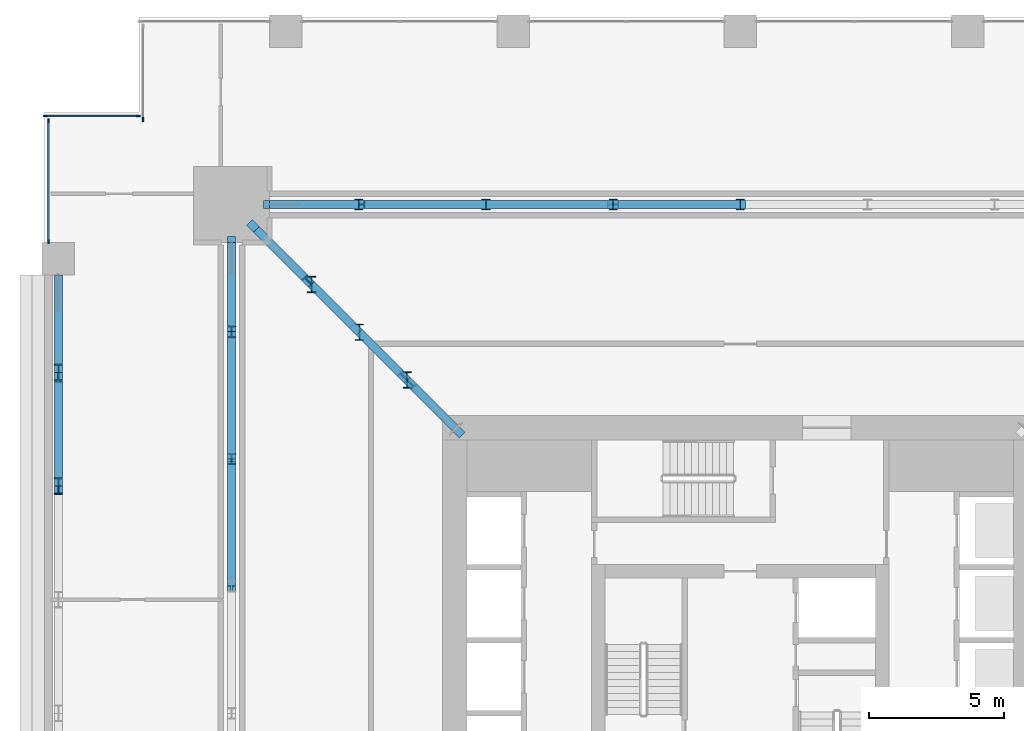
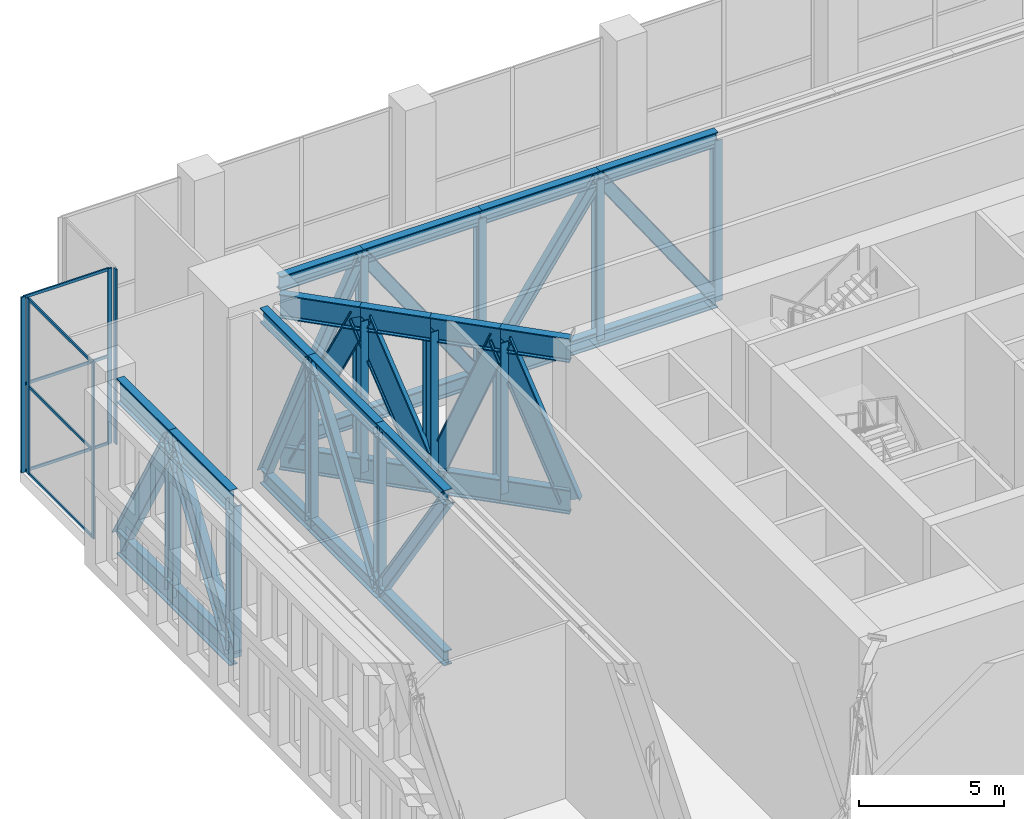
# One storey, part 7 of 21: 61 members, 3 elements without a shape of their own.
"""IFC4 building model written with IfcOpenShell, lengths in metres."""

import ifcopenshell
import ifcopenshell.guid

model = None  # the IFC model being written
_history = None  # IfcOwnerHistory: only IFC2X3 demands one
_inside = {}  # id of a spatial element -> (the spatial element, [elements in it])
_under = {}  # id of a project, library or spatial element -> (it, [spatial elements below it])
_declared = {}  # id of a project -> (the project, [libraries it declares])
_typed = {}  # id of a type object -> (the type object, [elements of that type])
_made_of = {}  # id of a material, layer set ... -> (it, [elements and type objects made of it])


def new_model(schema):
    """Start an empty IFC model of exactly this schema.

    Asked for "IFC4X3", IfcOpenShell would pick the latest addendum, in which some entities
    have other attributes; the version numbers below select the first issue.
    IFC2X3 requires an IfcOwnerHistory on every rooted entity: one is made here for all.
    """
    global model, _history
    if schema == "IFC4X3":
        model = ifcopenshell.file(schema_version=(4, 3, 0, 0))
    else:
        model = ifcopenshell.file(schema=schema)
    _inside.clear()
    _under.clear()
    _declared.clear()
    _typed.clear()
    _made_of.clear()
    _history = None
    if model.schema == "IFC2X3":
        org = make("IfcOrganization", Name="unknown")
        user = make(
            "IfcPersonAndOrganization",
            ThePerson=make("IfcPerson", FamilyName="unknown"),
            TheOrganization=org,
        )
        app = make(
            "IfcApplication",
            ApplicationDeveloper=org,
            Version="unknown",
            ApplicationFullName="unknown",
            ApplicationIdentifier="unknown",
        )
        _history = make(
            "IfcOwnerHistory",
            OwningUser=user,
            OwningApplication=app,
            ChangeAction="ADDED",
            CreationDate=0,
        )
    return model


def make(cls, **values):
    """One entity of the class cls with the attributes given. An attribute that is None is left unset."""
    return model.create_entity(
        cls, **{name: value for name, value in values.items() if value is not None}
    )


def rooted(cls, **values):
    """An entity with a GlobalId (a new one), such as an element, a storey or a relation."""
    return make(cls, GlobalId=ifcopenshell.guid.new(), OwnerHistory=_history, **values)


def si_unit(unit_type, name, prefix=None):
    """IfcSIUnit, for example si_unit("LENGTHUNIT", "METRE", prefix="MILLI")."""
    return make("IfcSIUnit", UnitType=unit_type, Prefix=prefix, Name=name)


def assignment(units):
    """IfcUnitAssignment: the units of a project."""
    return None if units is None else make("IfcUnitAssignment", Units=units)


def point(xyz):
    """IfcCartesianPoint."""
    return None if xyz is None else make("IfcCartesianPoint", Coordinates=xyz)


def direction(xyz):
    """IfcDirection."""
    return None if xyz is None else make("IfcDirection", DirectionRatios=xyz)


def frame(location, z_axis=None, x_axis=None):
    """IfcAxis2Placement3D, a coordinate frame: its origin and axes. An axis left out is left unset."""
    return make(
        "IfcAxis2Placement3D",
        Location=point(location),
        Axis=direction(z_axis),
        RefDirection=direction(x_axis),
    )


def frame_2d(location, x_axis=None):
    """IfcAxis2Placement2D, a coordinate frame in the plane: its origin and x axis."""
    return make(
        "IfcAxis2Placement2D", Location=point(location), RefDirection=direction(x_axis)
    )


def origin():
    """The frame at (0, 0, 0) with its axes left unset."""
    return frame((0.0, 0.0, 0.0))


def origin_2d():
    """The frame at (0, 0) in the plane with its x axis left unset."""
    return frame_2d((0.0, 0.0))


def place(relative_to, where):
    """IfcLocalPlacement: puts the frame where relative to a parent placement (None: the world)."""
    return make(
        "IfcLocalPlacement", PlacementRelTo=relative_to, RelativePlacement=where
    )


def context(
    kind, dimensions, precision=None, world=None, true_north=None, identifier=None
):
    """IfcGeometricRepresentationContext, for example the 3D "Model" context."""
    return make(
        "IfcGeometricRepresentationContext",
        ContextIdentifier=identifier,
        ContextType=kind,
        CoordinateSpaceDimension=dimensions,
        Precision=precision,
        WorldCoordinateSystem=world,
        TrueNorth=true_north,
    )


def subcontext(parent, identifier, kind, view, scale=None):
    """IfcGeometricRepresentationSubContext, for example "Body" below "Model"."""
    return make(
        "IfcGeometricRepresentationSubContext",
        ContextIdentifier=identifier,
        ContextType=kind,
        ParentContext=parent,
        TargetScale=scale,
        TargetView=view,
    )


def project(units=None, contexts=None):
    """IfcProject with its units and contexts."""
    return rooted(
        "IfcProject",
        Name="project",
        RepresentationContexts=contexts,
        UnitsInContext=assignment(units),
    )


def spatial(cls, under=None, at=None, **own):
    """A site, building, storey or space (cls), placed at a placement, below another one or the project."""
    s = rooted(cls, ObjectPlacement=at, **own)
    if under is not None:
        _under.setdefault(under.id(), (under, []))[1].append(s)
    return s


def profile(cls, at=None, kind="AREA", **sizes):
    """A parametric profile (cls). Its sizes go by their IFC names, for example OverallWidth=200.0."""
    return make(cls, ProfileType=kind, Position=at, **sizes)


def rectangle(**sizes):
    """IfcRectangleProfileDef."""
    return profile("IfcRectangleProfileDef", **sizes)


def i_section(**sizes):
    """IfcIShapeProfileDef."""
    return profile("IfcIShapeProfileDef", **sizes)


def extrude(swept, where, along, depth):
    """IfcExtrudedAreaSolid: the profile swept, set in the frame where, extruded along a direction by depth."""
    return make(
        "IfcExtrudedAreaSolid",
        SweptArea=swept,
        Position=where,
        ExtrudedDirection=direction(along),
        Depth=depth,
    )


def shape(context_of_items, identifier, shape_type, items):
    """IfcShapeRepresentation: the items that make up one representation, for example the "Body"."""
    return make(
        "IfcShapeRepresentation",
        ContextOfItems=context_of_items,
        RepresentationIdentifier=identifier,
        RepresentationType=shape_type,
        Items=items,
    )


def material(Name=None, Category=None):
    """IfcMaterial."""
    return make("IfcMaterial", Name=Name, Category=Category)


def material_profile(
    of_material, cross_section, Name=None, Category=None, Priority=None
):
    """IfcMaterialProfile: a cross section and its material."""
    return make(
        "IfcMaterialProfile",
        Name=Name,
        Material=of_material,
        Profile=cross_section,
        Priority=Priority,
        Category=Category,
    )


def profile_set(profiles, Name=None, composite=None):
    """IfcMaterialProfileSet."""
    return make(
        "IfcMaterialProfileSet",
        Name=Name,
        MaterialProfiles=profiles,
        CompositeProfile=composite,
    )


def made_of(thing, what):
    """Note that an element or type object is made of a material, layer set ...; save() writes the relation."""
    if what is not None:
        _made_of.setdefault(what.id(), (what, []))[1].append(thing)
    return thing


def type_object(cls, material=None, **own):
    """A type object (cls), such as IfcWallType, which elements share."""
    return made_of(rooted(cls, **own), material)


def element(
    cls,
    number,
    at=None,
    inside=None,
    cuts=None,
    type_object=None,
    material=None,
    context=None,
    identifier="Body",
    shape_type=None,
    held_by="IfcProductDefinitionShape",
    body=None,
    shapes=None,
    **own,
):
    """One element of the class cls, such as IfcWall. Its Tag is "e" and its number.

    at: its placement. inside: the storey or other place that contains it. cuts: it is an
    opening in that element (IfcRelVoidsElement). A single representation is given by context,
    identifier, shape_type and body (its items); several are given by shapes. held_by: the class
    of the entity that holds the representations. save() writes the other relations.
    """
    e = rooted(cls, Tag="e%d" % number, ObjectPlacement=at, **own)
    if body is not None:
        shapes = [shape(context, identifier, shape_type, body)]
    if shapes is not None:
        e.Representation = make(held_by, Representations=shapes)
    if inside is not None:
        _inside.setdefault(inside.id(), (inside, []))[1].append(e)
    if cuts is not None:
        rooted(
            "IfcRelVoidsElement", RelatingBuildingElement=cuts, RelatedOpeningElement=e
        )
    if type_object is not None:
        _typed.setdefault(type_object.id(), (type_object, []))[1].append(e)
    return made_of(e, material)


def aggregate(whole, parts):
    """IfcRelAggregates: a whole, such as a stair, and the parts it consists of."""
    return rooted("IfcRelAggregates", RelatingObject=whole, RelatedObjects=parts)


def save(model, path):
    """Write the relations noted so far, then the file.

    IfcRelAggregates (storeys below a building ...), IfcRelContainedInSpatialStructure (elements
    in a storey), IfcRelDefinesByType, IfcRelAssociatesMaterial and IfcRelDeclares: one each for
    every whole, place, type object, material and project.
    """
    for whole, parts in _under.values():
        aggregate(whole, parts)
    for where, things in _inside.values():
        rooted(
            "IfcRelContainedInSpatialStructure",
            RelatedElements=things,
            RelatingStructure=where,
        )
    for kind, things in _typed.values():
        rooted("IfcRelDefinesByType", RelatedObjects=things, RelatingType=kind)
    for what, things in _made_of.values():
        rooted("IfcRelAssociatesMaterial", RelatedObjects=things, RelatingMaterial=what)
    for by, libraries in _declared.values():
        rooted("IfcRelDeclares", RelatingContext=by, RelatedDefinitions=libraries)
    model.write(path)


model = new_model("IFC4")

# Units and contexts
model_context = context("Model", 3, precision=1e-05, world=origin(), true_north=direction((0.0, 1.0)))
body_context = subcontext(model_context, "Body", "Model", "MODEL_VIEW")
ifc_project = project(units=[si_unit("LENGTHUNIT", "METRE"), si_unit("AREAUNIT", "SQUARE_METRE"), si_unit("VOLUMEUNIT", "CUBIC_METRE"), si_unit("PLANEANGLEUNIT", "RADIAN"), si_unit("MASSUNIT", "GRAM", prefix="KILO")], contexts=[model_context])

# Site, building, storey
site_placement = place(None, origin())
site = spatial("IfcSite", under=ifc_project, at=site_placement, CompositionType="ELEMENT")
building_placement = place(site_placement, origin())
building = spatial("IfcBuilding", under=site, at=building_placement, Name="Khepri Terraces", CompositionType="ELEMENT")
storey_placement = place(building_placement, frame((0.0, 0.0, 126.0)))
storey = spatial("IfcBuildingStorey", under=building, at=storey_placement, Name="L30", CompositionType="ELEMENT", Elevation=126.0)

# Members
ifc_material_1 = material(Name="Steel S355", Category="steel")
ifc_material_profile_1 = material_profile(ifc_material_1, i_section(OverallWidth=0.304931640625, OverallDepth=0.6201171875, WebThickness=0.02099609375, FlangeThickness=0.0400390625, FilletRadius=0.027099609375, at=origin_2d()), Name="Steel S355", Category="steel")
ifc_profile_set_1 = profile_set([ifc_material_profile_1], Name="Steel S355")
member_type_1 = type_object("IfcMemberType", Name="Belt truss chord HEM 600", PredefinedType="CHORD", material=ifc_profile_set_1)
for number, where, z_axis, x_axis, name in (
    (1, (0.0, 18.800048828125, 0.31005859375), (-1.0, 0.0, 0.0), (0.0, -1.0, 0.0), "Belt truss chord BT-30-N bottom 5"),
    (2, (0.0, 18.800048828125, 7.070068359375), (-1.0, 0.0, 0.0), (0.0, -1.0, 0.0), "Belt truss chord BT-30-N top 5"),
    (3, (-4.699951171875, 18.800048828125, 0.31005859375), (-1.0, 0.0, 0.0), (0.0, -1.0, 0.0), "Belt truss chord BT-30-N bottom 6"),
    (4, (-4.699951171875, 18.800048828125, 7.070068359375), (-1.0, 0.0, 0.0), (0.0, -1.0, 0.0), "Belt truss chord BT-30-N top 6"),
):
    element("IfcMember", number, at=place(storey_placement, frame(where, z_axis=z_axis, x_axis=x_axis)), inside=storey, type_object=member_type_1, Name=name, PredefinedType="CHORD", context=body_context, shape_type="SweptSolid", body=[
        extrude(i_section(OverallWidth=0.304931640625, OverallDepth=0.6201171875, WebThickness=0.02099609375, FlangeThickness=0.0400390625, FilletRadius=0.027099609375, at=origin_2d()), origin(), (0.0, 0.0, 1.0), 4.699951171875),
    ])
for number, where, z_axis, x_axis, name in (
    (5, (-9.39990234375, 18.800048828125, 0.31005859375), (-1.0, 0.0, 0.0), (0.0, -1.0, 0.0), "Belt truss chord BT-30-N bottom 7"),
    (6, (-9.39990234375, 18.800048828125, 7.070068359375), (-1.0, 0.0, 0.0), (0.0, -1.0, 0.0), "Belt truss chord BT-30-N top 7"),
):
    element("IfcMember", number, at=place(storey_placement, frame(where, z_axis=z_axis, x_axis=x_axis)), inside=storey, type_object=member_type_1, Name=name, PredefinedType="CHORD", context=body_context, shape_type="SweptSolid", body=[
        extrude(i_section(OverallWidth=0.304931640625, OverallDepth=0.6201171875, WebThickness=0.02099609375, FlangeThickness=0.0400390625, FilletRadius=0.027099609375, at=origin_2d()), origin(), (0.0, 0.0, 1.0), 4.7001953125),
    ])
for number, where, z_axis, x_axis, name in (
    (7, (-14.10009765625, 18.800048828125, 0.31005859375), (-1.0, 0.0, 0.0), (0.0, -1.0, 0.0), "Belt truss chord BT-30-N bottom 8"),
    (8, (-14.10009765625, 18.800048828125, 7.070068359375), (-1.0, 0.0, 0.0), (0.0, -1.0, 0.0), "Belt truss chord BT-30-N top 8"),
    (9, (-18.800048828125, 17.39990234375, 0.31005859375), (0.0, -1.0, 0.0), (1.0, 0.0, 0.0), "Belt truss chord BT-30-W bottom 1"),
    (10, (-18.800048828125, 17.39990234375, 7.070068359375), (0.0, -1.0, 0.0), (1.0, 0.0, 0.0), "Belt truss chord BT-30-W top 1"),
):
    element("IfcMember", number, at=place(storey_placement, frame(where, z_axis=z_axis, x_axis=x_axis)), inside=storey, type_object=member_type_1, Name=name, PredefinedType="CHORD", context=body_context, shape_type="SweptSolid", body=[
        extrude(i_section(OverallWidth=0.304931640625, OverallDepth=0.6201171875, WebThickness=0.02099609375, FlangeThickness=0.0400390625, FilletRadius=0.027099609375, at=origin_2d()), origin(), (0.0, 0.0, 1.0), 3.2998046875),
    ])
for number, where, z_axis, x_axis, name in (
    (11, (-18.800048828125, 14.10009765625, 0.31005859375), (0.0, -1.0, 0.0), (1.0, 0.0, 0.0), "Belt truss chord BT-30-W bottom 2"),
    (12, (-18.800048828125, 14.10009765625, 7.070068359375), (0.0, -1.0, 0.0), (1.0, 0.0, 0.0), "Belt truss chord BT-30-W top 2"),
):
    element("IfcMember", number, at=place(storey_placement, frame(where, z_axis=z_axis, x_axis=x_axis)), inside=storey, type_object=member_type_1, Name=name, PredefinedType="CHORD", context=body_context, shape_type="SweptSolid", body=[
        extrude(i_section(OverallWidth=0.304931640625, OverallDepth=0.6201171875, WebThickness=0.02099609375, FlangeThickness=0.0400390625, FilletRadius=0.027099609375, at=origin_2d()), origin(), (0.0, 0.0, 1.0), 4.7001953125),
    ])
for number, where, z_axis, x_axis, name in (
    (13, (-18.800048828125, 9.39990234375, 0.31005859375), (0.0, -1.0, 0.0), (1.0, 0.0, 0.0), "Belt truss chord BT-30-W bottom 3"),
    (14, (-18.800048828125, 9.39990234375, 7.070068359375), (0.0, -1.0, 0.0), (1.0, 0.0, 0.0), "Belt truss chord BT-30-W top 3"),
):
    element("IfcMember", number, at=place(storey_placement, frame(where, z_axis=z_axis, x_axis=x_axis)), inside=storey, type_object=member_type_1, Name=name, PredefinedType="CHORD", context=body_context, shape_type="SweptSolid", body=[
        extrude(i_section(OverallWidth=0.304931640625, OverallDepth=0.6201171875, WebThickness=0.02099609375, FlangeThickness=0.0400390625, FilletRadius=0.027099609375, at=origin_2d()), origin(), (0.0, 0.0, 1.0), 4.699951171875),
    ])
ifc_material_profile_2 = material_profile(ifc_material_1, i_section(OverallWidth=0.300048828125, OverallDepth=0.5, WebThickness=0.014404296875, FlangeThickness=0.028076171875, FilletRadius=0.027099609375, at=origin_2d()), Name="Steel S355", Category="steel")
ifc_profile_set_2 = profile_set([ifc_material_profile_2], Name="Steel S355")
member_type_2 = type_object("IfcMemberType", Name="Belt truss diagonal HEB 500", PredefinedType="BRACE", material=ifc_profile_set_2)
for number, where, z_axis, x_axis, name in (
    (15, (0.0, 18.800048828125, 0.31005859375), (-0.570846397071, 0.0, 0.82105687437), (0.0, -1.0, 0.0), "Belt truss diagonal BT-30-N 5"),
    (16, (-4.699951171875, 18.800048828125, 7.070068359375), (-0.570846397071, 0.0, -0.82105687437), (0.0, -1.0, 0.0), "Belt truss diagonal BT-30-N 6"),
    (17, (-9.39990234375, 18.800048828125, 0.31005859375), (-0.570866386548, 0.0, 0.821042976165), (0.0, -1.0, 0.0), "Belt truss diagonal BT-30-N 7"),
):
    element("IfcMember", number, at=place(storey_placement, frame(where, z_axis=z_axis, x_axis=x_axis)), inside=storey, type_object=member_type_2, Name=name, PredefinedType="BRACE", context=body_context, shape_type="SweptSolid", body=[
        extrude(i_section(OverallWidth=0.300048828125, OverallDepth=0.5, WebThickness=0.014404296875, FlangeThickness=0.028076171875, FilletRadius=0.027099609375, at=origin_2d()), origin(), (0.0, 0.0, 1.0), 8.2333984375),
    ])
for number, where, z_axis, x_axis, name in (
    (18, (-14.10009765625, 18.800048828125, 7.070068359375), (-0.438664043467, 0.0, -0.898651131958), (0.0, -1.0, 0.0), "Belt truss diagonal BT-30-N 8"),
    (19, (-18.800048828125, 17.39990234375, 0.31005859375), (0.0, -0.438664043467, 0.898651131958), (1.0, 0.0, 0.0), "Belt truss diagonal BT-30-W 1"),
):
    element("IfcMember", number, at=place(storey_placement, frame(where, z_axis=z_axis, x_axis=x_axis)), inside=storey, type_object=member_type_2, Name=name, PredefinedType="BRACE", context=body_context, shape_type="SweptSolid", body=[
        extrude(i_section(OverallWidth=0.300048828125, OverallDepth=0.5, WebThickness=0.014404296875, FlangeThickness=0.028076171875, FilletRadius=0.027099609375, at=origin_2d()), origin(), (0.0, 0.0, 1.0), 7.5224609375),
    ])
for number, where, z_axis, x_axis, name in (
    (20, (-18.800048828125, 14.10009765625, 7.070068359375), (0.0, -0.570866386548, -0.821042976165), (1.0, 0.0, 0.0), "Belt truss diagonal BT-30-W 2"),
    (21, (-18.800048828125, 9.39990234375, 0.31005859375), (0.0, -0.570846397071, 0.82105687437), (1.0, 0.0, 0.0), "Belt truss diagonal BT-30-W 3"),
):
    element("IfcMember", number, at=place(storey_placement, frame(where, z_axis=z_axis, x_axis=x_axis)), inside=storey, type_object=member_type_2, Name=name, PredefinedType="BRACE", context=body_context, shape_type="SweptSolid", body=[
        extrude(i_section(OverallWidth=0.300048828125, OverallDepth=0.5, WebThickness=0.014404296875, FlangeThickness=0.028076171875, FilletRadius=0.027099609375, at=origin_2d()), origin(), (0.0, 0.0, 1.0), 8.2333984375),
    ])
ifc_material_profile_3 = material_profile(ifc_material_1, i_section(OverallWidth=0.300048828125, OverallDepth=0.39990234375, WebThickness=0.013427734375, FlangeThickness=0.02392578125, FilletRadius=0.027099609375, at=origin_2d()), Name="Steel S355", Category="steel")
ifc_profile_set_3 = profile_set([ifc_material_profile_3], Name="Steel S355")
member_type_3 = type_object("IfcMemberType", Name="Belt truss post HEB 400", PredefinedType="POST", material=ifc_profile_set_3)
for number, where, z_axis, x_axis, name in (
    (22, (0.0, 18.800048828125, 0.31005859375), (0.0, 0.0, 1.0), (1.0, 0.0, 0.0), "Belt truss post BT-30-N 4"),
    (23, (-4.699951171875, 18.800048828125, 0.31005859375), (0.0, 0.0, 1.0), (1.0, 0.0, 0.0), "Belt truss post BT-30-N 5"),
    (24, (-9.39990234375, 18.800048828125, 0.31005859375), (0.0, 0.0, 1.0), (1.0, 0.0, 0.0), "Belt truss post BT-30-N 6"),
    (25, (-14.10009765625, 18.800048828125, 0.31005859375), (0.0, 0.0, 1.0), (1.0, 0.0, 0.0), "Belt truss post BT-30-N 7"),
    (26, (-18.800048828125, 14.10009765625, 0.31005859375), (0.0, 0.0, 1.0), (1.0, 0.0, 0.0), "Belt truss post BT-30-W 1"),
    (27, (-18.800048828125, 9.39990234375, 0.31005859375), (0.0, 0.0, 1.0), (1.0, 0.0, 0.0), "Belt truss post BT-30-W 2"),
):
    element("IfcMember", number, at=place(storey_placement, frame(where, z_axis=z_axis, x_axis=x_axis)), inside=storey, type_object=member_type_3, Name=name, PredefinedType="POST", context=body_context, shape_type="SweptSolid", body=[
        extrude(i_section(OverallWidth=0.300048828125, OverallDepth=0.39990234375, WebThickness=0.013427734375, FlangeThickness=0.02392578125, FilletRadius=0.027099609375, at=origin_2d()), origin(), (0.0, 0.0, 1.0), 6.760009765625),
    ])

# Curtain wall, member
ifc_material_2 = material(Name="Anodised aluminium bronze curtain wall", Category="aluminium")
curtain_wall_type = type_object("IfcCurtainWallType", Name="CW-SYS3-SKY", PredefinedType="NOTDEFINED", material=ifc_material_2)
curtain_wall_1_placement = place(storey_placement, origin())
curtain_wall_1 = element("IfcCurtainWall", 28, at=curtain_wall_1_placement, inside=storey, type_object=curtain_wall_type, Name="Curtain wall CW3 L30 W", PredefinedType="NOTDEFINED")
ifc_material_3 = material(Name="Anodised aluminium bronze", Category="aluminium")
ifc_material_profile_4 = material_profile(ifc_material_3, rectangle(XDim=0.06005859375, YDim=0.159912109375, at=origin_2d()), Name="Anodised aluminium bronze", Category="aluminium")
ifc_profile_set_4 = profile_set([ifc_material_profile_4], Name="Anodised aluminium bronze")
member_type_4 = type_object("IfcMemberType", Name="CW-MULLION-60x160", PredefinedType="MULLION", material=ifc_profile_set_4)
member_1_placement = place(storey_placement, frame((-22.070068359375, 21.949951171875, 0.0), z_axis=(0.0, 0.0, 1.0), x_axis=(1.0, 0.0, 0.0)))
member_1 = element("IfcMember", 29, at=member_1_placement, type_object=member_type_4, Name="CW3 mullion 2", PredefinedType="MULLION", context=body_context, shape_type="SweptSolid", body=[
    extrude(rectangle(XDim=0.06005859375, YDim=0.159912109375, at=origin_2d()), origin(), (0.0, 0.0, 1.0), 7.3798828125),
])
aggregate(curtain_wall_1, [member_1])

# Curtain wall, members
curtain_wall_2_placement = place(storey_placement, origin())
curtain_wall_2 = element("IfcCurtainWall", 30, at=curtain_wall_2_placement, inside=storey, type_object=curtain_wall_type, Name="Curtain wall CW3 L30 N", PredefinedType="NOTDEFINED")
member_2_placement = place(storey_placement, frame((-22.25, 22.070068359375, 0.0), z_axis=(0.0, 0.0, 1.0), x_axis=(0.0, -1.0, 0.0)))
member_2 = element("IfcMember", 31, at=member_2_placement, type_object=member_type_4, Name="CW3 mullion 1", PredefinedType="MULLION", context=body_context, shape_type="SweptSolid", body=[
    extrude(rectangle(XDim=0.06005859375, YDim=0.159912109375, at=origin_2d()), origin(), (0.0, 0.0, 1.0), 7.3798828125),
])
member_3_placement = place(storey_placement, frame((-25.68994140625, 22.070068359375, 0.0), z_axis=(0.0, 0.0, 1.0), x_axis=(0.0, -1.0, 0.0)))
member_3 = element("IfcMember", 32, at=member_3_placement, type_object=member_type_4, Name="CW3 mullion 2", PredefinedType="MULLION", context=body_context, shape_type="SweptSolid", body=[
    extrude(rectangle(XDim=0.06005859375, YDim=0.159912109375, at=origin_2d()), origin(), (0.0, 0.0, 1.0), 7.3798828125),
])

curtain_wall_3_placement = place(storey_placement, origin())
curtain_wall_3 = element("IfcCurtainWall", 33, at=curtain_wall_3_placement, inside=storey, type_object=curtain_wall_type, Name="Curtain wall CW3 L30 W", PredefinedType="NOTDEFINED")
member_4_placement = place(storey_placement, frame((-25.570068359375, 21.889892578125, 0.0), z_axis=(0.0, 0.0, 1.0), x_axis=(1.0, 0.0, 0.0)))
member_4 = element("IfcMember", 34, at=member_4_placement, type_object=member_type_4, Name="CW3 mullion 1", PredefinedType="MULLION", context=body_context, shape_type="SweptSolid", body=[
    extrude(rectangle(XDim=0.06005859375, YDim=0.159912109375, at=origin_2d()), origin(), (0.0, 0.0, 1.0), 7.3798828125),
])
member_5_placement = place(storey_placement, frame((-25.570068359375, 17.429931640625, 0.0), z_axis=(0.0, 0.0, 1.0), x_axis=(1.0, 0.0, 0.0)))
member_5 = element("IfcMember", 35, at=member_5_placement, type_object=member_type_4, Name="CW3 mullion 2", PredefinedType="MULLION", context=body_context, shape_type="SweptSolid", body=[
    extrude(rectangle(XDim=0.06005859375, YDim=0.159912109375, at=origin_2d()), origin(), (0.0, 0.0, 1.0), 7.3798828125),
])

# Member
ifc_material_profile_5 = material_profile(ifc_material_3, rectangle(XDim=0.06005859375, YDim=0.1201171875, at=origin_2d()), Name="Anodised aluminium bronze", Category="aluminium")
ifc_profile_set_5 = profile_set([ifc_material_profile_5], Name="Anodised aluminium bronze")
member_type_5 = type_object("IfcMemberType", Name="CW-TRANSOM-60x120", PredefinedType="USERDEFINED", material=ifc_profile_set_5)
member_6_placement = place(storey_placement, frame((-22.280029296875, 22.070068359375, 0.030029296875), z_axis=(-1.0, 0.0, 0.0), x_axis=(0.0, -1.0, 0.0)))
member_6 = element("IfcMember", 36, at=member_6_placement, type_object=member_type_5, Name="CW3 transom 1.1", ObjectType="TRANSOM", PredefinedType="USERDEFINED", context=body_context, shape_type="SweptSolid", body=[
    extrude(rectangle(XDim=0.06005859375, YDim=0.1201171875, at=origin_2d()), origin(), (0.0, 0.0, 1.0), 3.3798828125),
])

member_7_placement = place(storey_placement, frame((-22.280029296875, 22.070068359375, 3.68994140625), z_axis=(-1.0, 0.0, 0.0), x_axis=(0.0, -1.0, 0.0)))
member_7 = element("IfcMember", 37, at=member_7_placement, type_object=member_type_5, Name="CW3 transom 1.2", ObjectType="TRANSOM", PredefinedType="USERDEFINED", context=body_context, shape_type="SweptSolid", body=[
    extrude(rectangle(XDim=0.06005859375, YDim=0.1201171875, at=origin_2d()), origin(), (0.0, 0.0, 1.0), 3.3798828125),
])

member_8_placement = place(storey_placement, frame((-22.280029296875, 22.070068359375, 7.35009765625), z_axis=(-1.0, 0.0, 0.0), x_axis=(0.0, -1.0, 0.0)))
member_8 = element("IfcMember", 38, at=member_8_placement, type_object=member_type_5, Name="CW3 transom 1.3", ObjectType="TRANSOM", PredefinedType="USERDEFINED", context=body_context, shape_type="SweptSolid", body=[
    extrude(rectangle(XDim=0.06005859375, YDim=0.1201171875, at=origin_2d()), origin(), (0.0, 0.0, 1.0), 3.3798828125),
])

aggregate(curtain_wall_2, [member_2, member_3, member_6, member_7, member_8])

member_9_placement = place(storey_placement, frame((-25.570068359375, 21.860107421875, 0.030029296875), z_axis=(0.0, -1.0, 0.0), x_axis=(1.0, 0.0, 0.0)))
member_9 = element("IfcMember", 39, at=member_9_placement, type_object=member_type_5, Name="CW3 transom 1.1", ObjectType="TRANSOM", PredefinedType="USERDEFINED", context=body_context, shape_type="SweptSolid", body=[
    extrude(rectangle(XDim=0.06005859375, YDim=0.1201171875, at=origin_2d()), origin(), (0.0, 0.0, 1.0), 4.400146484375),
])

member_10_placement = place(storey_placement, frame((-25.570068359375, 21.860107421875, 3.68994140625), z_axis=(0.0, -1.0, 0.0), x_axis=(1.0, 0.0, 0.0)))
member_10 = element("IfcMember", 40, at=member_10_placement, type_object=member_type_5, Name="CW3 transom 1.2", ObjectType="TRANSOM", PredefinedType="USERDEFINED", context=body_context, shape_type="SweptSolid", body=[
    extrude(rectangle(XDim=0.06005859375, YDim=0.1201171875, at=origin_2d()), origin(), (0.0, 0.0, 1.0), 4.400146484375),
])

member_11_placement = place(storey_placement, frame((-25.570068359375, 21.860107421875, 7.35009765625), z_axis=(0.0, -1.0, 0.0), x_axis=(1.0, 0.0, 0.0)))
member_11 = element("IfcMember", 41, at=member_11_placement, type_object=member_type_5, Name="CW3 transom 1.3", ObjectType="TRANSOM", PredefinedType="USERDEFINED", context=body_context, shape_type="SweptSolid", body=[
    extrude(rectangle(XDim=0.06005859375, YDim=0.1201171875, at=origin_2d()), origin(), (0.0, 0.0, 1.0), 4.400146484375),
])

aggregate(curtain_wall_3, [member_4, member_5, member_9, member_10, member_11])

# Members
ifc_material_profile_6 = material_profile(ifc_material_1, i_section(OverallWidth=0.302001953125, OverallDepth=1.008056640625, WebThickness=0.02099609375, FlangeThickness=0.0400390625, FilletRadius=0.030029296875, at=origin_2d()), Name="Steel S355", Category="steel")
ifc_profile_set_6 = profile_set([ifc_material_profile_6], Name="Steel S355")
member_type_6 = type_object("IfcMemberType", Name="Outrigger chord HEM 1000", PredefinedType="CHORD", material=ifc_profile_set_6)
for number, where, z_axis, x_axis, name in (
    (42, (-10.550048828125, 10.550048828125, 0.50390625), (-0.707106781187, 0.707106781187, 0.0), (-0.707106781187, -0.707106781187, 0.0), "Outrigger chord OT-30-WN bottom 1"),
    (43, (-10.550048828125, 10.550048828125, 6.8759765625), (-0.707106781187, 0.707106781187, 0.0), (-0.707106781187, -0.707106781187, 0.0), "Outrigger chord OT-30-WN top 1"),
):
    element("IfcMember", number, at=place(storey_placement, frame(where, z_axis=z_axis, x_axis=x_axis)), inside=storey, type_object=member_type_6, Name=name, PredefinedType="CHORD", context=body_context, shape_type="SweptSolid", body=[
        extrude(i_section(OverallWidth=0.302001953125, OverallDepth=1.008056640625, WebThickness=0.02099609375, FlangeThickness=0.0400390625, FilletRadius=0.030029296875, at=origin_2d()), origin(), (0.0, 0.0, 1.0), 2.49658203125),
    ])
for number, where, z_axis, x_axis, name in (
    (44, (-12.3154296875, 12.3154296875, 0.50390625), (-0.707106781187, 0.707106781187, 0.0), (-0.707106781187, -0.707106781187, 0.0), "Outrigger chord OT-30-WN bottom 2"),
    (45, (-12.3154296875, 12.3154296875, 6.8759765625), (-0.707106781187, 0.707106781187, 0.0), (-0.707106781187, -0.707106781187, 0.0), "Outrigger chord OT-30-WN top 2"),
    (46, (-14.0810546875, 14.0810546875, 0.50390625), (-0.707106781187, 0.707106781187, 0.0), (-0.707106781187, -0.707106781187, 0.0), "Outrigger chord OT-30-WN bottom 3"),
    (47, (-14.0810546875, 14.0810546875, 6.8759765625), (-0.707106781187, 0.707106781187, 0.0), (-0.707106781187, -0.707106781187, 0.0), "Outrigger chord OT-30-WN top 3"),
):
    element("IfcMember", number, at=place(storey_placement, frame(where, z_axis=z_axis, x_axis=x_axis)), inside=storey, type_object=member_type_6, Name=name, PredefinedType="CHORD", context=body_context, shape_type="SweptSolid", body=[
        extrude(i_section(OverallWidth=0.302001953125, OverallDepth=1.008056640625, WebThickness=0.02099609375, FlangeThickness=0.0400390625, FilletRadius=0.030029296875, at=origin_2d()), origin(), (0.0, 0.0, 1.0), 2.4970703125),
    ])
for number, where, z_axis, x_axis, name in (
    (48, (-15.8466796875, 15.8466796875, 0.50390625), (-0.707106781187, 0.707106781187, 0.0), (-0.707106781187, -0.707106781187, 0.0), "Outrigger chord OT-30-WN bottom 4"),
    (49, (-15.8466796875, 15.8466796875, 6.8759765625), (-0.707106781187, 0.707106781187, 0.0), (-0.707106781187, -0.707106781187, 0.0), "Outrigger chord OT-30-WN top 4"),
):
    element("IfcMember", number, at=place(storey_placement, frame(where, z_axis=z_axis, x_axis=x_axis)), inside=storey, type_object=member_type_6, Name=name, PredefinedType="CHORD", context=body_context, shape_type="SweptSolid", body=[
        extrude(i_section(OverallWidth=0.302001953125, OverallDepth=1.008056640625, WebThickness=0.02099609375, FlangeThickness=0.0400390625, FilletRadius=0.030029296875, at=origin_2d()), origin(), (0.0, 0.0, 1.0), 2.876708984375),
    ])
ifc_material_profile_7 = material_profile(ifc_material_1, i_section(OverallWidth=0.302978515625, OverallDepth=0.81396484375, WebThickness=0.02099609375, FlangeThickness=0.0400390625, FilletRadius=0.030029296875, at=origin_2d()), Name="Steel S355", Category="steel")
ifc_profile_set_7 = profile_set([ifc_material_profile_7], Name="Steel S355")
member_type_7 = type_object("IfcMemberType", Name="Outrigger diagonal HEM 800", PredefinedType="BRACE", material=ifc_profile_set_7)
for number, where, z_axis, x_axis, name in (
    (50, (-10.550048828125, 10.550048828125, 0.50390625), (-0.257956556739, 0.257956556739, 0.931083685643), (-0.707106781187, -0.707106781187, 0.0), "Outrigger diagonal OT-30-WN 1"),
    (51, (-12.3154296875, 12.3154296875, 6.8759765625), (-0.25798748202, 0.25798748202, -0.931066548772), (-0.707106781187, -0.707106781187, 0.0), "Outrigger diagonal OT-30-WN 2"),
    (52, (-14.0810546875, 14.0810546875, 0.50390625), (-0.25798748202, 0.25798748202, 0.931066548772), (-0.707106781187, -0.707106781187, 0.0), "Outrigger diagonal OT-30-WN 3"),
):
    element("IfcMember", number, at=place(storey_placement, frame(where, z_axis=z_axis, x_axis=x_axis)), inside=storey, type_object=member_type_7, Name=name, PredefinedType="BRACE", context=body_context, shape_type="SweptSolid", body=[
        extrude(i_section(OverallWidth=0.302978515625, OverallDepth=0.81396484375, WebThickness=0.02099609375, FlangeThickness=0.0400390625, FilletRadius=0.030029296875, at=origin_2d()), origin(), (0.0, 0.0, 1.0), 6.84375),
    ])
member_12_placement = place(storey_placement, frame((-15.8466796875, 15.8466796875, 6.8759765625), z_axis=(-0.290956401625, 0.290956401625, -0.911421277295), x_axis=(-0.707106781187, -0.707106781187, 0.0)))
element("IfcMember", 53, at=member_12_placement, inside=storey, type_object=member_type_7, Name="Outrigger diagonal OT-30-WN 4", PredefinedType="BRACE", context=body_context, shape_type="SweptSolid", body=[
    extrude(i_section(OverallWidth=0.302978515625, OverallDepth=0.81396484375, WebThickness=0.02099609375, FlangeThickness=0.0400390625, FilletRadius=0.030029296875, at=origin_2d()), origin(), (0.0, 0.0, 1.0), 6.991455078125),
])
ifc_material_profile_8 = material_profile(ifc_material_1, i_section(OverallWidth=0.300048828125, OverallDepth=0.60009765625, WebThickness=0.015380859375, FlangeThickness=0.030029296875, FilletRadius=0.027099609375, at=origin_2d()), Name="Steel S355", Category="steel")
ifc_profile_set_8 = profile_set([ifc_material_profile_8], Name="Steel S355")
member_type_8 = type_object("IfcMemberType", Name="Outrigger post HEB 600", PredefinedType="POST", material=ifc_profile_set_8)
for number, where, z_axis, x_axis, name in (
    (54, (-12.3154296875, 12.3154296875, 0.50390625), (0.0, 0.0, 1.0), (1.0, 0.0, 0.0), "Outrigger post OT-30-WN 1"),
    (55, (-14.0810546875, 14.0810546875, 0.50390625), (0.0, 0.0, 1.0), (1.0, 0.0, 0.0), "Outrigger post OT-30-WN 2"),
    (56, (-15.8466796875, 15.8466796875, 0.50390625), (0.0, 0.0, 1.0), (1.0, 0.0, 0.0), "Outrigger post OT-30-WN 3"),
):
    element("IfcMember", number, at=place(storey_placement, frame(where, z_axis=z_axis, x_axis=x_axis)), inside=storey, type_object=member_type_8, Name=name, PredefinedType="POST", context=body_context, shape_type="SweptSolid", body=[
        extrude(i_section(OverallWidth=0.300048828125, OverallDepth=0.60009765625, WebThickness=0.015380859375, FlangeThickness=0.030029296875, FilletRadius=0.027099609375, at=origin_2d()), origin(), (0.0, 0.0, 1.0), 6.3720703125),
    ])
ifc_material_profile_9 = material_profile(ifc_material_1, i_section(OverallWidth=0.302001953125, OverallDepth=1.008056640625, WebThickness=0.02099609375, FlangeThickness=0.0400390625, FilletRadius=0.030029296875, at=origin_2d()), Name="Steel S355", Category="steel")
ifc_profile_set_9 = profile_set([ifc_material_profile_9], Name="Steel S355")
member_type_9 = type_object("IfcMemberType", Name="Transfer truss chord HEM 1000", PredefinedType="CHORD", material=ifc_profile_set_9)
for number, where, z_axis, x_axis, name in (
    (57, (-25.199951171875, 16.199951171875, 0.50390625), (0.0, -1.0, 0.0), (1.0, 0.0, 0.0), "Transfer truss chord TT-30-W bottom 1"),
    (58, (-25.199951171875, 16.199951171875, 6.8759765625), (0.0, -1.0, 0.0), (1.0, 0.0, 0.0), "Transfer truss chord TT-30-W top 1"),
):
    element("IfcMember", number, at=place(storey_placement, frame(where, z_axis=z_axis, x_axis=x_axis)), inside=storey, type_object=member_type_9, Name=name, PredefinedType="CHORD", context=body_context, shape_type="SweptSolid", body=[
        extrude(i_section(OverallWidth=0.302001953125, OverallDepth=1.008056640625, WebThickness=0.02099609375, FlangeThickness=0.0400390625, FilletRadius=0.030029296875, at=origin_2d()), origin(), (0.0, 0.0, 1.0), 3.599853515625),
    ])
for number, where, z_axis, x_axis, name in (
    (59, (-25.199951171875, 12.60009765625, 0.50390625), (0.0, -1.0, 0.0), (1.0, 0.0, 0.0), "Transfer truss chord TT-30-W bottom 2"),
    (60, (-25.199951171875, 12.60009765625, 6.8759765625), (0.0, -1.0, 0.0), (1.0, 0.0, 0.0), "Transfer truss chord TT-30-W top 2"),
):
    element("IfcMember", number, at=place(storey_placement, frame(where, z_axis=z_axis, x_axis=x_axis)), inside=storey, type_object=member_type_9, Name=name, PredefinedType="CHORD", context=body_context, shape_type="SweptSolid", body=[
        extrude(i_section(OverallWidth=0.302001953125, OverallDepth=1.008056640625, WebThickness=0.02099609375, FlangeThickness=0.0400390625, FilletRadius=0.030029296875, at=origin_2d()), origin(), (0.0, 0.0, 1.0), 4.2001953125),
    ])
ifc_material_profile_10 = material_profile(ifc_material_1, i_section(OverallWidth=0.300048828125, OverallDepth=0.800048828125, WebThickness=0.017578125, FlangeThickness=0.032958984375, FilletRadius=0.030029296875, at=origin_2d()), Name="Steel S355", Category="steel")
ifc_profile_set_10 = profile_set([ifc_material_profile_10], Name="Steel S355")
member_type_10 = type_object("IfcMemberType", Name="Transfer truss diagonal HEB 800", PredefinedType="BRACE", material=ifc_profile_set_10)
member_13_placement = place(storey_placement, frame((-25.199951171875, 16.199951171875, 0.50390625), z_axis=(0.0, -0.4918758753, 0.870665333695), x_axis=(1.0, 0.0, 0.0)))
element("IfcMember", 61, at=member_13_placement, inside=storey, type_object=member_type_10, Name="Transfer truss diagonal TT-30-W 1", PredefinedType="BRACE", context=body_context, shape_type="SweptSolid", body=[
    extrude(i_section(OverallWidth=0.300048828125, OverallDepth=0.800048828125, WebThickness=0.017578125, FlangeThickness=0.032958984375, FilletRadius=0.030029296875, at=origin_2d()), origin(), (0.0, 0.0, 1.0), 7.318603515625),
])
member_14_placement = place(storey_placement, frame((-25.199951171875, 12.60009765625, 6.8759765625), z_axis=(0.0, -0.55035188289, -0.834932814662), x_axis=(1.0, 0.0, 0.0)))
element("IfcMember", 62, at=member_14_placement, inside=storey, type_object=member_type_10, Name="Transfer truss diagonal TT-30-W 2", PredefinedType="BRACE", context=body_context, shape_type="SweptSolid", body=[
    extrude(i_section(OverallWidth=0.300048828125, OverallDepth=0.800048828125, WebThickness=0.017578125, FlangeThickness=0.032958984375, FilletRadius=0.030029296875, at=origin_2d()), origin(), (0.0, 0.0, 1.0), 7.6318359375),
])
ifc_material_profile_11 = material_profile(ifc_material_1, i_section(OverallWidth=0.300048828125, OverallDepth=0.60009765625, WebThickness=0.015380859375, FlangeThickness=0.030029296875, FilletRadius=0.027099609375, at=origin_2d()), Name="Steel S355", Category="steel")
ifc_profile_set_11 = profile_set([ifc_material_profile_11], Name="Steel S355")
member_type_11 = type_object("IfcMemberType", Name="Transfer truss post HEB 600", PredefinedType="POST", material=ifc_profile_set_11)
for number, where, z_axis, x_axis, name in (
    (63, (-25.199951171875, 12.60009765625, 0.50390625), (0.0, 0.0, 1.0), (1.0, 0.0, 0.0), "Transfer truss post TT-30-W 1"),
    (64, (-25.199951171875, 8.39990234375, 0.50390625), (0.0, 0.0, 1.0), (1.0, 0.0, 0.0), "Transfer truss post TT-30-W 2"),
):
    element("IfcMember", number, at=place(storey_placement, frame(where, z_axis=z_axis, x_axis=x_axis)), inside=storey, type_object=member_type_11, Name=name, PredefinedType="POST", context=body_context, shape_type="SweptSolid", body=[
        extrude(i_section(OverallWidth=0.300048828125, OverallDepth=0.60009765625, WebThickness=0.015380859375, FlangeThickness=0.030029296875, FilletRadius=0.027099609375, at=origin_2d()), origin(), (0.0, 0.0, 1.0), 6.3720703125),
    ])

save(model, "model.ifc")
